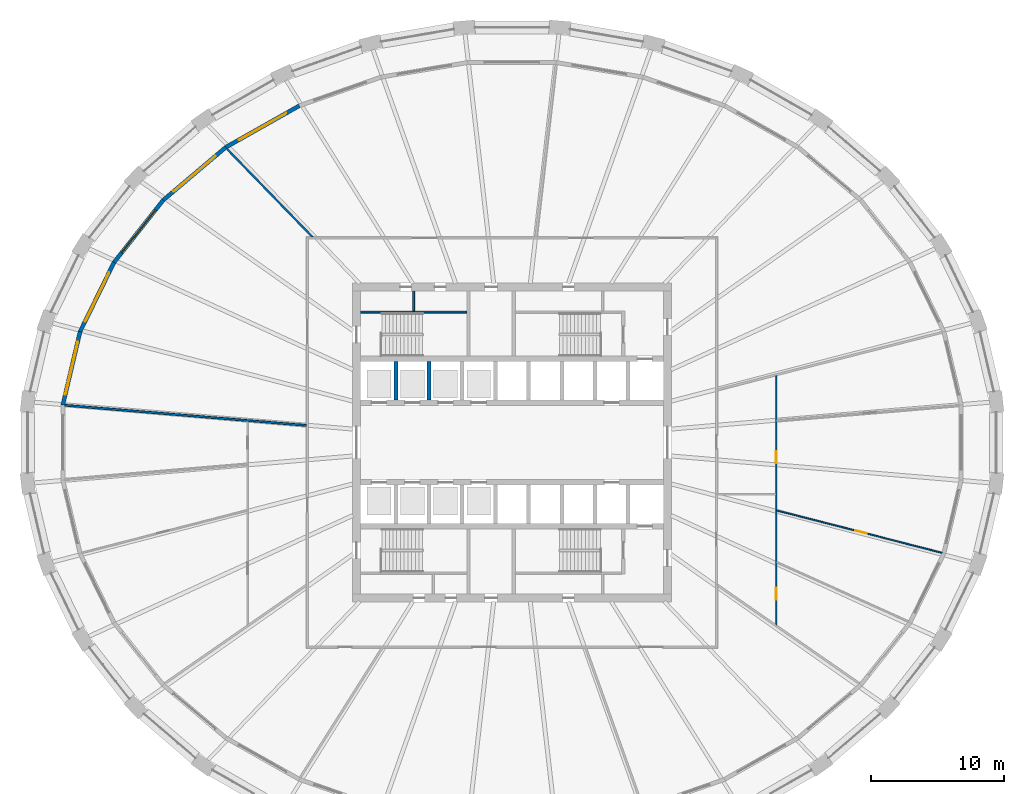
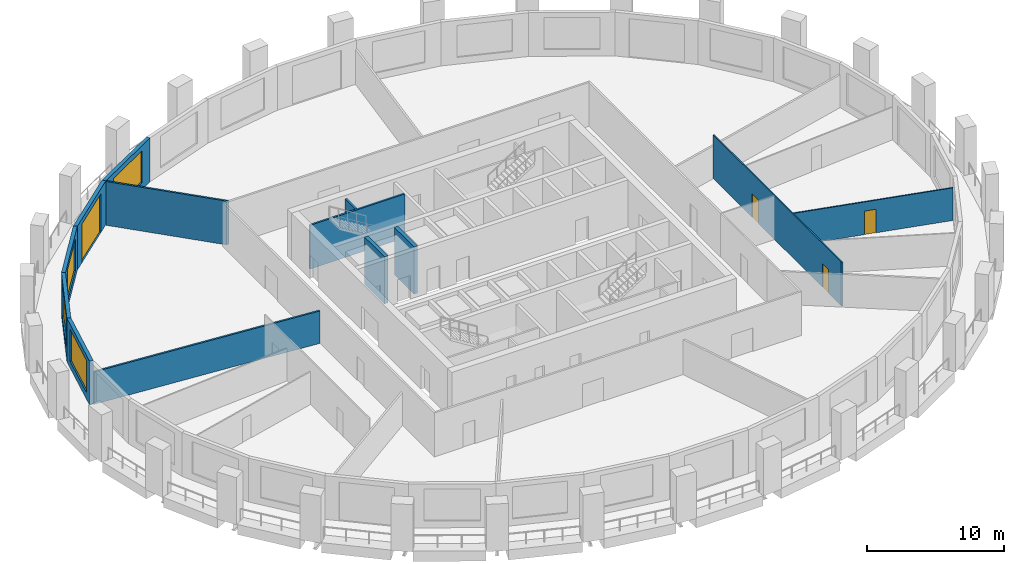
# One storey, part 5 of 11: 13 walls, 4 doors, 4 windows, 8 openings.
"""IFC4 building model written with IfcOpenShell, lengths in metres."""

from ifc_helpers import new_model, si_unit, direction, frame, frame_2d, origin, place, context, subcontext, project, spatial, polyline, rectangle, outline, extrude, material, layer, layer_set, type_object, element, fill, save


model = new_model("IFC4")

# Units and contexts
model_context = context("Model", 3, precision=1e-05, world=origin(), true_north=direction((0.0, 1.0)))
body_context = subcontext(model_context, "Body", "Model", "MODEL_VIEW")
ifc_project = project(units=[si_unit("LENGTHUNIT", "METRE"), si_unit("AREAUNIT", "SQUARE_METRE"), si_unit("VOLUMEUNIT", "CUBIC_METRE"), si_unit("PLANEANGLEUNIT", "RADIAN"), si_unit("MASSUNIT", "GRAM", prefix="KILO")], contexts=[model_context])

# Site, building, storey
site_placement = place(None, origin())
site = spatial("IfcSite", under=ifc_project, at=site_placement, CompositionType="ELEMENT")
building_placement = place(site_placement, origin())
building = spatial("IfcBuilding", under=site, at=building_placement, Name="Halqa Exchange Tower", CompositionType="ELEMENT")
storey_placement = place(building_placement, frame((0.0, 0.0, 78.10009765625)))
storey = spatial("IfcBuildingStorey", under=building, at=storey_placement, Name="L17", CompositionType="ELEMENT", Elevation=78.10009765625)

# Walls
ifc_material_1 = material(Name="Fire-rated gypsum board")
ifc_layer_1 = layer(ifc_material_1, 0.14990234375)
ifc_layer_set_1 = layer_set([ifc_layer_1], Name="Fire-rated gypsum board")
wall_type_1 = type_object("IfcWallType", Name="Fire partition EI 60 150", PredefinedType="PARTITIONING", material=ifc_layer_set_1)
wall_1_placement = place(storey_placement, frame((-33.662353515625, 2.804443359375, 0.0), z_axis=(0.0, 0.0, 1.0), x_axis=(0.996534589799, -0.083179392484, 0.0)))
element("IfcWall", 1, at=wall_1_placement, inside=storey, type_object=wall_type_1, Name="L17-PWL-001", PredefinedType="PARTITIONING", context=body_context, shape_type="SweptSolid", body=[
    extrude(outline(polyline([(18.25634765625, -0.074951171875), (18.25634765625, -0.06884765625), (18.244384765625, 0.074951171875), (16.42041015625, 0.074951171875), (14.596435546875, 0.074951171875), (12.772705078125, 0.074951171875), (10.94873046875, 0.074951171875), (9.124755859375, 0.074951171875), (7.30078125, 0.074951171875), (5.47705078125, 0.074951171875), (3.653076171875, 0.074951171875), (1.8291015625, 0.074951171875), (0.005126953125, 0.074951171875), (0.0, 0.039794921875), (0.0, -0.074951171875), (1.82568359375, -0.074951171875), (3.6513671875, -0.074951171875), (5.476806640625, -0.074951171875), (7.302490234375, -0.074951171875), (9.128173828125, -0.074951171875), (10.953857421875, -0.074951171875), (12.779541015625, -0.074951171875), (14.60498046875, -0.074951171875), (16.4306640625, -0.074951171875), (18.25634765625, -0.074951171875)])), origin(), (0.0, 0.0, 1.0), 2.891845703125),
])
wall_2_placement = place(storey_placement, frame((-14.972412109375, 15.423095703125, 0.0), z_axis=(0.0, 0.0, 1.0), x_axis=(-0.696670635557, 0.717391124529, 0.0)))
element("IfcWall", 2, at=wall_2_placement, inside=storey, type_object=wall_type_1, Name="L17-PWL-009", PredefinedType="PARTITIONING", context=body_context, shape_type="SweptSolid", body=[
    extrude(outline(polyline([(9.29638671875, 0.074951171875), (7.466064453125, 0.074951171875), (5.635986328125, 0.074951171875), (3.8056640625, 0.074951171875), (1.975341796875, 0.074951171875), (0.14501953125, 0.074951171875), (0.0, -0.074462890625), (0.0, -0.074951171875), (1.859375, -0.074951171875), (3.718505859375, -0.074951171875), (5.577880859375, -0.074951171875), (7.43701171875, -0.074951171875), (9.29638671875, -0.074951171875), (9.29638671875, 0.074951171875)])), origin(), (0.0, 0.0, 1.0), 3.89990234375),
])

# Wall, openings, doors
ifc_material_2 = material(Name="Gypsum board")
ifc_layer_2 = layer(ifc_material_2, 0.10009765625)
ifc_layer_set_2 = layer_set([ifc_layer_2], Name="Gypsum board")
wall_type_2 = type_object("IfcWallType", Name="Partition 100 gypsum", PredefinedType="PARTITIONING", material=ifc_layer_set_2)
wall_3_placement = place(storey_placement, frame((19.89990234375, -13.744384765625, 0.0), z_axis=(0.0, 0.0, 1.0), x_axis=(0.0, 1.0, 0.0)))
wall_3 = element("IfcWall", 3, at=wall_3_placement, inside=storey, type_object=wall_type_2, Name="L17-PWL-019", PredefinedType="PARTITIONING", context=body_context, shape_type="SweptSolid", body=[
    extrude(outline(polyline([(0.0, -0.050048828125), (1.55908203125, -0.050048828125), (3.117919921875, -0.050048828125), (4.677001953125, -0.050048828125), (4.677978515625, -0.0478515625), (4.682861328125, -0.050048828125), (6.63134765625, -0.050048828125), (8.579833984375, -0.050048828125), (8.580322265625, -0.048095703125), (8.587646484375, -0.050048828125), (10.2861328125, -0.050048828125), (11.98486328125, -0.050048828125), (13.683349609375, -0.050048828125), (15.382080078125, -0.050048828125), (17.08056640625, -0.050048828125), (18.779296875, -0.050048828125), (18.779296875, -0.04833984375), (18.754150390625, 0.050048828125), (16.984130859375, 0.050048828125), (15.214111328125, 0.050048828125), (13.4443359375, 0.050048828125), (11.67431640625, 0.050048828125), (9.904296875, 0.050048828125), (9.904296875, 0.0498046875), (9.804443359375, 0.0498046875), (9.804443359375, 0.050048828125), (7.857421875, 0.050048828125), (5.91015625, 0.050048828125), (3.963134765625, 0.050048828125), (2.01611328125, 0.050048828125), (0.069091796875, 0.050048828125), (0.0, -0.049560546875), (0.0, -0.050048828125)])), origin(), (0.0, 0.0, 1.0), 3.89990234375),
])
opening_1_placement = place(wall_3_placement, frame((12.179443359375, 0.0, 0.0)))
opening_1 = element("IfcOpeningElement", 4, at=opening_1_placement, cuts=wall_3, Name="Opening 05-14", PredefinedType="OPENING", context=body_context, shape_type="SweptSolid", body=[
    extrude(rectangle(XDim=0.89990234375, YDim=2.10009765625, at=frame_2d((0.449951171875, 1.050048828125))), frame((0.0, 0.06201171875, 0.0), z_axis=(0.0, -1.0, 0.0), x_axis=(1.0, 0.0, 0.0)), (0.0, 0.0, 1.0), 0.1240234375),
])
opening_2_placement = place(wall_3_placement, frame((1.8994140625, 0.0, 0.0)))
opening_2 = element("IfcOpeningElement", 5, at=opening_2_placement, cuts=wall_3, Name="Opening 05-15", PredefinedType="OPENING", context=body_context, shape_type="SweptSolid", body=[
    extrude(rectangle(XDim=0.89990234375, YDim=2.10009765625, at=frame_2d((0.449951171875, 1.050048828125))), frame((0.0, 0.06201171875, 0.0), z_axis=(0.0, -1.0, 0.0), x_axis=(1.0, 0.0, 0.0)), (0.0, 0.0, 1.0), 0.1240234375),
])
ifc_material_3 = material(Name="Timber door leaf", Category="wood")
door_type_1 = type_object("IfcDoorType", Name="Door 900 x 2100", OperationType="SINGLE_SWING_LEFT", PredefinedType="DOOR", material=ifc_material_3)
door_1_placement = place(opening_1_placement, origin())
door_1 = element("IfcDoor", 6, at=door_1_placement, inside=storey, type_object=door_type_1, Name="L17-IDR-014", OperationType="SINGLE_SWING_RIGHT", OverallHeight=2.10009765625, OverallWidth=0.89990234375, PredefinedType="DOOR", context=body_context, shape_type="SweptSolid", body=[
    extrude(rectangle(XDim=0.89990234375, YDim=2.10009765625, at=frame_2d((0.449951171875, 1.050048828125))), frame((0.0, 0.02490234375, 0.0), z_axis=(0.0, -1.0, 0.0), x_axis=(1.0, 0.0, 0.0)), (0.0, 0.0, 1.0), 0.050048828125),
])
fill(opening_1, door_1)
door_2_placement = place(opening_2_placement, origin())
door_2 = element("IfcDoor", 7, at=door_2_placement, inside=storey, type_object=door_type_1, Name="L17-IDR-015", OperationType="SINGLE_SWING_RIGHT", OverallHeight=2.10009765625, OverallWidth=0.89990234375, PredefinedType="DOOR", context=body_context, shape_type="SweptSolid", body=[
    extrude(rectangle(XDim=0.89990234375, YDim=2.10009765625, at=frame_2d((0.449951171875, 1.050048828125))), frame((0.0, 0.02490234375, 0.0), z_axis=(0.0, -1.0, 0.0), x_axis=(1.0, 0.0, 0.0)), (0.0, 0.0, 1.0), 0.050048828125),
])
fill(opening_2, door_2)

# Wall, opening, door
wall_4_placement = place(storey_placement, frame((19.937744140625, -5.109619140625, 0.0), z_axis=(0.0, 0.0, 1.0), x_axis=(0.96855855203, -0.248785713594, 0.0)))
wall_4 = element("IfcWall", 8, at=wall_4_placement, inside=storey, type_object=wall_type_2, Name="L17-PWL-021", PredefinedType="PARTITIONING", context=body_context, shape_type="SweptSolid", body=[
    extrude(outline(polyline([(0.025390625, -0.050048828125), (1.854736328125, -0.050048828125), (3.683837890625, -0.050048828125), (5.512939453125, -0.050048828125), (7.342041015625, -0.050048828125), (9.171142578125, -0.050048828125), (11.000244140625, -0.050048828125), (12.829345703125, -0.050048828125), (12.838623046875, -0.0048828125), (12.838623046875, 0.050048828125), (11.004638671875, 0.050048828125), (9.17041015625, 0.050048828125), (7.33642578125, 0.050048828125), (5.502197265625, 0.050048828125), (3.668212890625, 0.050048828125), (1.833984375, 0.050048828125), (0.0, 0.050048828125), (0.0, 0.04931640625), (0.025390625, -0.050048828125)])), origin(), (0.0, 0.0, 1.0), 2.909912109375),
])
opening_3_placement = place(wall_4_placement, frame((6.103271484375, 0.0, 0.0)))
opening_3 = element("IfcOpeningElement", 9, at=opening_3_placement, cuts=wall_4, Name="Opening 05-16", PredefinedType="OPENING", context=body_context, shape_type="SweptSolid", body=[
    extrude(rectangle(XDim=0.89990234375, YDim=2.10009765625, at=frame_2d((0.449951171875, 1.050048828125))), frame((0.0, 0.06201171875, 0.0), z_axis=(0.0, -1.0, 0.0), x_axis=(1.0, 0.0, 0.0)), (0.0, 0.0, 1.0), 0.1240234375),
])
door_3_placement = place(opening_3_placement, frame((0.89990234375, 0.0, 0.0), z_axis=(0.0, 0.0, 1.0), x_axis=(-1.0, 0.0, 0.0)))
door_3 = element("IfcDoor", 10, at=door_3_placement, inside=storey, type_object=door_type_1, Name="L17-IDR-016", OperationType="SINGLE_SWING_LEFT", OverallHeight=2.10009765625, OverallWidth=0.89990234375, PredefinedType="DOOR", context=body_context, shape_type="SweptSolid", body=[
    extrude(rectangle(XDim=0.89990234375, YDim=2.10009765625, at=frame_2d((0.449951171875, 1.050048828125))), frame((0.0, 0.02490234375, 0.0), z_axis=(0.0, -1.0, 0.0), x_axis=(1.0, 0.0, 0.0)), (0.0, 0.0, 1.0), 0.050048828125),
])
fill(opening_3, door_3)

# Walls
ifc_layer_3 = layer(ifc_material_2, 0.14990234375)
ifc_layer_set_3 = layer_set([ifc_layer_3], Name="Gypsum board")
wall_type_3 = type_object("IfcWallType", Name="Penthouse riser wall 150 gypsum", PredefinedType="PARTITIONING", material=ifc_layer_set_3)
wall_5_placement = place(storey_placement, frame((-7.39990234375, 9.89990234375, 0.0), z_axis=(0.0, 0.0, 1.0), x_axis=(0.0, 1.0, 0.0)))
element("IfcWall", 11, at=wall_5_placement, inside=storey, type_object=wall_type_3, Name="Partition W7.400 N", PredefinedType="PARTITIONING", context=body_context, shape_type="SweptSolid", body=[
    extrude(rectangle(XDim=1.5, YDim=0.14990234375, at=frame_2d((0.75, 0.0))), origin(), (0.0, 0.0, 1.0), 3.89990234375),
])
ifc_material_4 = material(Name="Concrete C60/75", Category="concrete")
ifc_layer_4 = layer(ifc_material_4, 0.300048828125)
ifc_layer_set_4 = layer_set([ifc_layer_4], Name="Concrete C60/75")
wall_type_4 = type_object("IfcWallType", Name="RC core wall 300", PredefinedType="SHEAR", material=ifc_layer_set_4)
for number, where, z_axis, x_axis, name in (
    (12, (-8.75, 3.199951171875, 0.0), (0.0, 0.0, 1.0), (0.0, 1.0, 0.0), "Shaft divider N1"),
    (13, (-6.25, 3.199951171875, 0.0), (0.0, 0.0, 1.0), (0.0, 1.0, 0.0), "Shaft divider N2"),
):
    element("IfcWall", number, at=place(storey_placement, frame(where, z_axis=z_axis, x_axis=x_axis)), inside=storey, type_object=wall_type_4, Name=name, PredefinedType="SHEAR", context=body_context, shape_type="SweptSolid", body=[
        extrude(rectangle(XDim=2.900146484375, YDim=0.300048828125, at=frame_2d((1.4501953125, 0.0))), origin(), (0.0, 0.0, 1.0), 4.199951171875),
    ])
ifc_material_5 = material(Name="Concrete C30/37", Category="concrete")
ifc_layer_5 = layer(ifc_material_5, 0.14990234375)
ifc_layer_set_5 = layer_set([ifc_layer_5], Name="Concrete C30/37")
wall_type_5 = type_object("IfcWallType", Name="RC stair wall 150 C30/37", PredefinedType="SHEAR", material=ifc_layer_set_5)
wall_6_placement = place(storey_placement, frame((-11.39990234375, 9.824951171875, 0.0), z_axis=(0.0, 0.0, 1.0), x_axis=(1.0, 0.0, 0.0)))
element("IfcWall", 14, at=wall_6_placement, inside=storey, type_object=wall_type_5, Name="Stair ST1 north wall N", PredefinedType="SHEAR", context=body_context, shape_type="SweptSolid", body=[
    extrude(rectangle(XDim=8.0, YDim=0.14990234375, at=frame_2d((4.0, 0.0))), origin(), (0.0, 0.0, 1.0), 3.89990234375),
])

# Wall, opening, window
ifc_material_6 = material(Name="Limestone cladding", Category="masonry")
ifc_layer_6 = layer(ifc_material_6, 0.0400390625)
ifc_material_7 = material(Name="Ventilated cavity")
ifc_layer_7 = layer(ifc_material_7, 0.030029296875, ventilated=True)
ifc_material_8 = material(Name="Mineral wool insulation")
ifc_layer_8 = layer(ifc_material_8, 0.10009765625)
ifc_layer_9 = layer(ifc_material_5, 0.10009765625)
ifc_material_9 = material(Name="Internal plaster")
ifc_layer_10 = layer(ifc_material_9, 0.030029296875)
ifc_layer_set_6 = layer_set([ifc_layer_6, ifc_layer_7, ifc_layer_8, ifc_layer_9, ifc_layer_10], Name="Stone-faced insulated wall 300")
wall_type_6 = type_object("IfcWallType", Name="Stone-faced insulated wall 300", PredefinedType="STANDARD", material=ifc_layer_set_6)
wall_7_placement = place(storey_placement, frame((-16.01025390625, 25.35888671875, 0.0), z_axis=(0.0, 0.0, 1.0), x_axis=(-0.870710061474, -0.491796694629, 0.0)))
wall_7 = element("IfcWall", 15, at=wall_7_placement, inside=storey, type_object=wall_type_6, Name="Glass-line wall 11", PredefinedType="STANDARD", context=body_context, shape_type="SweptSolid", body=[
    extrude(outline(polyline([(-0.013427734375, -0.14990234375), (6.374755859375, -0.14990234375), (6.346435546875, 0.14990234375), (0.013427734375, 0.14990234375), (-0.013427734375, -0.14990234375)])), origin(), (0.0, 0.0, 1.0), 3.89990234375),
])
opening_4_placement = place(wall_7_placement, frame((1.13037109375, 0.0, 0.60009765625)))
opening_4 = element("IfcOpeningElement", 16, at=opening_4_placement, cuts=wall_7, Name="Opening W-F1-11", PredefinedType="OPENING", context=body_context, shape_type="SweptSolid", body=[
    extrude(rectangle(XDim=4.10009765625, YDim=2.85009765625, at=frame_2d((2.050048828125, 1.425048828125))), frame((0.0, 0.162109375, 0.0), z_axis=(0.0, -1.0, 0.0), x_axis=(1.0, 0.0, 0.0)), (0.0, 0.0, 1.0), 0.323974609375),
])
ifc_material_10 = material(Name="Clear low-emissivity glass in aluminium frame", Category="aluminium")
window_type = type_object("IfcWindowType", Name="Fixed clear glazed window 4100 x 2850", PartitioningType="TRIPLE_PANEL_VERTICAL", PredefinedType="WINDOW", material=ifc_material_10)
window_1_placement = place(opening_4_placement, origin())
window_1 = element("IfcWindow", 17, at=window_1_placement, inside=storey, type_object=window_type, Name="Window 1", OverallHeight=2.85009765625, OverallWidth=4.10009765625, PartitioningType="TRIPLE_PANEL_VERTICAL", PredefinedType="WINDOW", context=body_context, shape_type="SweptSolid", body=[
    extrude(rectangle(XDim=4.10009765625, YDim=2.85009765625, at=frame_2d((2.050048828125, 1.425048828125))), frame((0.0, 0.030029296875, 0.0), z_axis=(0.0, -1.0, 0.0), x_axis=(1.0, 0.0, 0.0)), (0.0, 0.0, 1.0), 0.06005859375),
])
fill(opening_4, window_1)

# Wall, opening, door
wall_8_placement = place(storey_placement, frame((-21.548583984375, 22.230712890625, 0.0), z_axis=(0.0, 0.0, 1.0), x_axis=(-0.763693886759, -0.645578536916, 0.0)))
wall_8 = element("IfcWall", 18, at=wall_8_placement, inside=storey, type_object=wall_type_6, Name="Glass-line wall 12", PredefinedType="STANDARD", context=body_context, shape_type="SweptSolid", body=[
    extrude(outline(polyline([(-0.01416015625, -0.14990234375), (6.18505859375, -0.14990234375), (6.15478515625, 0.14990234375), (0.01416015625, 0.14990234375), (-0.01416015625, -0.14990234375)])), origin(), (0.0, 0.0, 1.0), 3.89990234375),
])
opening_5_placement = place(wall_8_placement, frame((1.034912109375, 0.0, 0.0)))
opening_5 = element("IfcOpeningElement", 19, at=opening_5_placement, cuts=wall_8, Name="Opening LG-F1-03", PredefinedType="OPENING", context=body_context, shape_type="SweptSolid", body=[
    extrude(rectangle(XDim=4.10009765625, YDim=3.449951171875, at=frame_2d((2.050048828125, 1.72509765625))), frame((0.0, 0.162109375, 0.0), z_axis=(0.0, -1.0, 0.0), x_axis=(1.0, 0.0, 0.0)), (0.0, 0.0, 1.0), 0.323974609375),
])
door_type_2 = type_object("IfcDoorType", Name="Glazed sliding loggia door 4100 x 3450", OperationType="DOUBLE_DOOR_SLIDING", PredefinedType="DOOR", material=ifc_material_10)
door_4_placement = place(opening_5_placement, origin())
door_4 = element("IfcDoor", 20, at=door_4_placement, inside=storey, type_object=door_type_2, Name="Loggia door 3", OperationType="DOUBLE_DOOR_SLIDING", OverallHeight=3.449951171875, OverallWidth=4.10009765625, PredefinedType="DOOR", context=body_context, shape_type="SweptSolid", body=[
    extrude(rectangle(XDim=4.10009765625, YDim=3.449951171875, at=frame_2d((2.050048828125, 1.72509765625))), frame((0.0, 0.02490234375, 0.0), z_axis=(0.0, -1.0, 0.0), x_axis=(1.0, 0.0, 0.0)), (0.0, 0.0, 1.0), 0.050048828125),
])
fill(opening_5, door_4)

# Wall, opening, window
wall_9_placement = place(storey_placement, frame((-26.260498046875, 18.24755859375, 0.0), z_axis=(0.0, 0.0, 1.0), x_axis=(-0.620093447965, -0.784527957303, 0.0)))
wall_9 = element("IfcWall", 21, at=wall_9_placement, inside=storey, type_object=wall_type_6, Name="Glass-line wall 13", PredefinedType="STANDARD", context=body_context, shape_type="SweptSolid", body=[
    extrude(outline(polyline([(-0.01513671875, -0.14990234375), (5.9892578125, -0.14990234375), (5.95703125, 0.14990234375), (0.01513671875, 0.14990234375), (-0.01513671875, -0.14990234375)])), origin(), (0.0, 0.0, 1.0), 3.89990234375),
])
opening_6_placement = place(wall_9_placement, frame((0.9365234375, 0.0, 0.60009765625)))
opening_6 = element("IfcOpeningElement", 22, at=opening_6_placement, cuts=wall_9, Name="Opening W-F1-13", PredefinedType="OPENING", context=body_context, shape_type="SweptSolid", body=[
    extrude(rectangle(XDim=4.10009765625, YDim=2.85009765625, at=frame_2d((2.050048828125, 1.425048828125))), frame((0.0, 0.162109375, 0.0), z_axis=(0.0, -1.0, 0.0), x_axis=(1.0, 0.0, 0.0)), (0.0, 0.0, 1.0), 0.323974609375),
])
window_2_placement = place(opening_6_placement, origin())
window_2 = element("IfcWindow", 23, at=window_2_placement, inside=storey, type_object=window_type, Name="Window 1", OverallHeight=2.85009765625, OverallWidth=4.10009765625, PartitioningType="TRIPLE_PANEL_VERTICAL", PredefinedType="WINDOW", context=body_context, shape_type="SweptSolid", body=[
    extrude(rectangle(XDim=4.10009765625, YDim=2.85009765625, at=frame_2d((2.050048828125, 1.425048828125))), frame((0.0, 0.030029296875, 0.0), z_axis=(0.0, -1.0, 0.0), x_axis=(1.0, 0.0, 0.0)), (0.0, 0.0, 1.0), 0.06005859375),
])
fill(opening_6, window_2)

wall_10_placement = place(storey_placement, frame((-29.96435546875, 13.5615234375, 0.0), z_axis=(0.0, 0.0, 1.0), x_axis=(-0.440027465772, -0.897984314655, 0.0)))
wall_10 = element("IfcWall", 24, at=wall_10_placement, inside=storey, type_object=wall_type_6, Name="Glass-line wall 14", PredefinedType="STANDARD", context=body_context, shape_type="SweptSolid", body=[
    extrude(outline(polyline([(-0.01611328125, -0.14990234375), (5.817626953125, -0.14990234375), (5.783935546875, 0.14990234375), (0.01611328125, 0.14990234375), (-0.01611328125, -0.14990234375)])), origin(), (0.0, 0.0, 1.0), 3.89990234375),
])
opening_7_placement = place(wall_10_placement, frame((0.850341796875, 0.0, 0.60009765625)))
opening_7 = element("IfcOpeningElement", 25, at=opening_7_placement, cuts=wall_10, Name="Opening W-F1-14", PredefinedType="OPENING", context=body_context, shape_type="SweptSolid", body=[
    extrude(rectangle(XDim=4.10009765625, YDim=2.85009765625, at=frame_2d((2.050048828125, 1.425048828125))), frame((0.0, 0.162109375, 0.0), z_axis=(0.0, -1.0, 0.0), x_axis=(1.0, 0.0, 0.0)), (0.0, 0.0, 1.0), 0.323974609375),
])
window_3_placement = place(opening_7_placement, origin())
window_3 = element("IfcWindow", 26, at=window_3_placement, inside=storey, type_object=window_type, Name="Window 1", OverallHeight=2.85009765625, OverallWidth=4.10009765625, PartitioningType="TRIPLE_PANEL_VERTICAL", PredefinedType="WINDOW", context=body_context, shape_type="SweptSolid", body=[
    extrude(rectangle(XDim=4.10009765625, YDim=2.85009765625, at=frame_2d((2.050048828125, 1.425048828125))), frame((0.0, 0.030029296875, 0.0), z_axis=(0.0, -1.0, 0.0), x_axis=(1.0, 0.0, 0.0)), (0.0, 0.0, 1.0), 0.06005859375),
])
fill(opening_7, window_3)

wall_11_placement = place(storey_placement, frame((-32.516845703125, 8.3525390625, 0.0), z_axis=(0.0, 0.0, 1.0), x_axis=(-0.229058489262, -0.97341266095, 0.0)))
wall_11 = element("IfcWall", 27, at=wall_11_placement, inside=storey, type_object=wall_type_6, Name="Glass-line wall 15", PredefinedType="STANDARD", context=body_context, shape_type="SweptSolid", body=[
    extrude(outline(polyline([(-0.016845703125, -0.14990234375), (5.700439453125, -0.14990234375), (5.665771484375, 0.14990234375), (0.016845703125, 0.14990234375), (-0.016845703125, -0.14990234375)])), origin(), (0.0, 0.0, 1.0), 3.89990234375),
])
opening_8_placement = place(wall_11_placement, frame((0.79150390625, 0.0, 0.60009765625)))
opening_8 = element("IfcOpeningElement", 28, at=opening_8_placement, cuts=wall_11, Name="Opening W-F1-15", PredefinedType="OPENING", context=body_context, shape_type="SweptSolid", body=[
    extrude(rectangle(XDim=4.10009765625, YDim=2.85009765625, at=frame_2d((2.050048828125, 1.425048828125))), frame((0.0, 0.162109375, 0.0), z_axis=(0.0, -1.0, 0.0), x_axis=(1.0, 0.0, 0.0)), (0.0, 0.0, 1.0), 0.323974609375),
])
window_4_placement = place(opening_8_placement, origin())
window_4 = element("IfcWindow", 29, at=window_4_placement, inside=storey, type_object=window_type, Name="Window 1", OverallHeight=2.85009765625, OverallWidth=4.10009765625, PartitioningType="TRIPLE_PANEL_VERTICAL", PredefinedType="WINDOW", context=body_context, shape_type="SweptSolid", body=[
    extrude(rectangle(XDim=4.10009765625, YDim=2.85009765625, at=frame_2d((2.050048828125, 1.425048828125))), frame((0.0, 0.030029296875, 0.0), z_axis=(0.0, -1.0, 0.0), x_axis=(1.0, 0.0, 0.0)), (0.0, 0.0, 1.0), 0.06005859375),
])
fill(opening_8, window_4)

save(model, "model.ifc")
